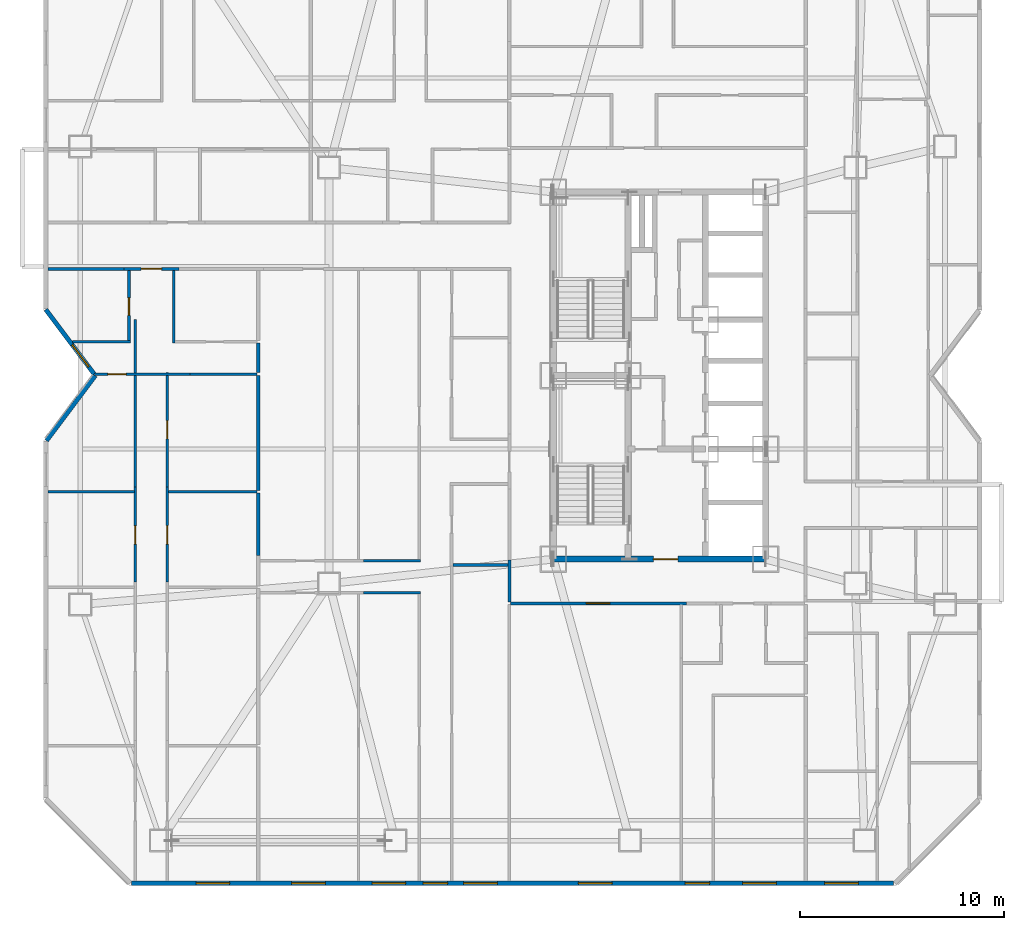
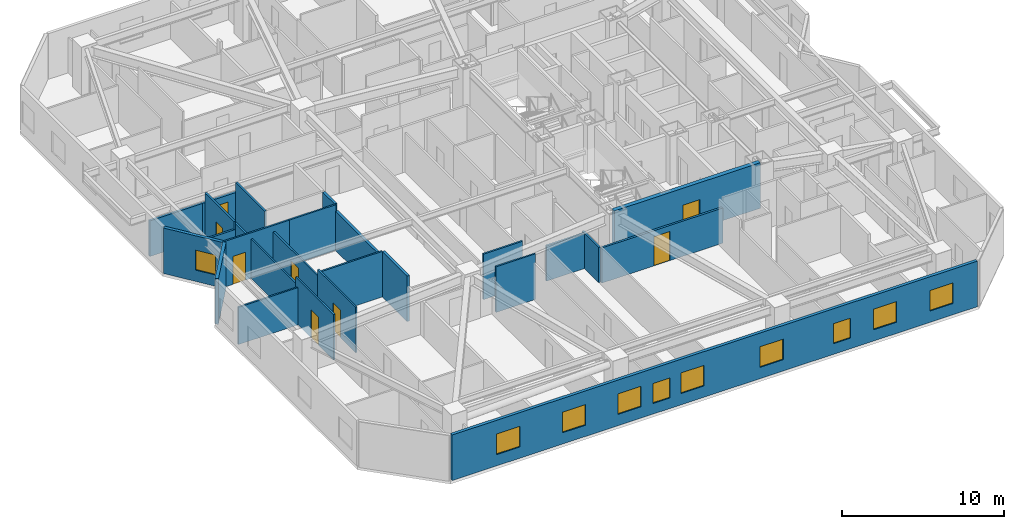
# One storey, part 8 of 17: 25 walls, 10 windows, 8 doors, 18 openings.
"""IFC4 building model written with IfcOpenShell, lengths in metres."""

from ifc_helpers import new_model, si_unit, direction, frame, frame_2d, origin, place, context, subcontext, project, spatial, rectangle, extrude, material, layer, layer_set, type_object, element, fill, save


model = new_model("IFC4")

# Units and contexts
model_context = context("Model", 3, precision=1e-05, world=origin(), true_north=direction((0.0, 1.0)))
body_context = subcontext(model_context, "Body", "Model", "MODEL_VIEW")
ifc_project = project(units=[si_unit("LENGTHUNIT", "METRE"), si_unit("AREAUNIT", "SQUARE_METRE"), si_unit("VOLUMEUNIT", "CUBIC_METRE"), si_unit("PLANEANGLEUNIT", "RADIAN"), si_unit("MASSUNIT", "GRAM", prefix="KILO")], contexts=[model_context])

# Site, building, storey
site_placement = place(None, origin())
site = spatial("IfcSite", under=ifc_project, at=site_placement, CompositionType="ELEMENT")
building_placement = place(site_placement, origin())
building = spatial("IfcBuilding", under=site, at=building_placement, Name="Khamvora Tower", CompositionType="ELEMENT")
storey_placement = place(building_placement, frame((0.0, 0.0, 73.449951171875)))
storey = spatial("IfcBuildingStorey", under=building, at=storey_placement, Name="L18", CompositionType="ELEMENT", Elevation=73.449951171875)

# Wall, opening, door
ifc_material_1 = material(Name="Concrete C50/60", Category="concrete")
ifc_layer_1 = layer(ifc_material_1, 0.300048828125)
ifc_layer_set_1 = layer_set([ifc_layer_1], Name="Concrete C50/60")
wall_type_1 = type_object("IfcWallType", Name="WAL-CORE-300", PredefinedType="SHEAR", material=ifc_layer_set_1)
wall_1_placement = place(storey_placement, frame((29.0, 19.0, 0.0), z_axis=(0.0, 0.0, 1.0), x_axis=(1.0, 0.0, 0.0)))
wall_1 = element("IfcWall", 1, at=wall_1_placement, inside=storey, type_object=wall_type_1, Name="L18 central core south wall", PredefinedType="SHEAR", context=body_context, shape_type="SweptSolid", body=[
    extrude(rectangle(XDim=10.39990234375, YDim=0.300048828125, at=frame_2d((5.199951171875, 0.0))), origin(), (0.0, 0.0, 1.0), 3.429931640625),
])
opening_1_placement = place(wall_1_placement, frame((4.89990234375, 0.0, 0.0)))
opening_1 = element("IfcOpeningElement", 2, at=opening_1_placement, cuts=wall_1, Name="Opening D-CR1", PredefinedType="OPENING", context=body_context, shape_type="SweptSolid", body=[
    extrude(rectangle(XDim=1.199951171875, YDim=2.14990234375, at=frame_2d((0.60009765625, 1.074951171875))), frame((0.0, 0.159912109375, 0.0), z_axis=(0.0, -1.0, 0.0), x_axis=(1.0, 0.0, 0.0)), (0.0, 0.0, 1.0), 0.320068359375),
])
ifc_material_2 = material(Name="Powder-Coated Steel and Hardwood Leaf", Category="steel")
door_type_1 = type_object("IfcDoorType", Name="DOR-CORR-1200", OperationType="NOTDEFINED", PredefinedType="DOOR", material=ifc_material_2)
door_1_placement = place(opening_1_placement, origin())
door_1 = element("IfcDoor", 3, at=door_1_placement, inside=storey, type_object=door_type_1, Name="L18 south core lobby to corridor fire door", OperationType="SINGLE_SWING_RIGHT", OverallHeight=2.14990234375, OverallWidth=1.199951171875, PredefinedType="DOOR", context=body_context, shape_type="SweptSolid", body=[
    extrude(rectangle(XDim=1.199951171875, YDim=2.14990234375, at=frame_2d((0.60009765625, 1.074951171875))), frame((0.0, 0.02490234375, 0.0), z_axis=(0.0, -1.0, 0.0), x_axis=(1.0, 0.0, 0.0)), (0.0, 0.0, 1.0), 0.050048828125),
])
fill(opening_1, door_1)

ifc_material_3 = material(Name="Fire-Rated Drywall and Steel Stud", Category="steel")
ifc_layer_2 = layer(ifc_material_3, 0.14990234375)
ifc_layer_set_2 = layer_set([ifc_layer_2], Name="Fire-Rated Drywall and Steel Stud")
wall_type_2 = type_object("IfcWallType", Name="WAL-CORR-150", PredefinedType="STANDARD", material=ifc_layer_set_2)
wall_2_placement = place(storey_placement, frame((35.513916015625, 16.8349609375, 0.0), z_axis=(0.0, 0.0, 1.0), x_axis=(-1.0, 0.0, 0.0)))
wall_2 = element("IfcWall", 4, at=wall_2_placement, inside=storey, type_object=wall_type_2, Name="L18 interior partition wall 008", PredefinedType="STANDARD", context=body_context, shape_type="SweptSolid", body=[
    extrude(rectangle(XDim=8.614013671875, YDim=0.14990234375, at=frame_2d((4.30712890625, 0.0))), origin(), (0.0, 0.0, 1.0), 2.64697265625),
])
opening_2_placement = place(wall_2_placement, frame((3.7529296875, 0.0, 0.0)))
opening_2 = element("IfcOpeningElement", 5, at=opening_2_placement, cuts=wall_2, Name="Opening D-SC1", PredefinedType="OPENING", context=body_context, shape_type="SweptSolid", body=[
    extrude(rectangle(XDim=1.14990234375, YDim=2.199951171875, at=frame_2d((0.574951171875, 1.10009765625))), frame((0.0, 0.0849609375, 0.0), z_axis=(0.0, -1.0, 0.0), x_axis=(1.0, 0.0, 0.0)), (0.0, 0.0, 1.0), 0.169921875),
])
door_type_2 = type_object("IfcDoorType", Name="DOR-SCHL-1150", OperationType="NOTDEFINED", PredefinedType="DOOR", material=ifc_material_2)
door_2_placement = place(opening_2_placement, origin())
door_2 = element("IfcDoor", 6, at=door_2_placement, inside=storey, type_object=door_type_2, Name="L18 interior door COR-RCOW", OperationType="SINGLE_SWING_LEFT", OverallHeight=2.199951171875, OverallWidth=1.14990234375, PredefinedType="DOOR", context=body_context, shape_type="SweptSolid", body=[
    extrude(rectangle(XDim=1.14990234375, YDim=2.199951171875, at=frame_2d((0.574951171875, 1.10009765625))), frame((0.0, 0.02490234375, 0.0), z_axis=(0.0, -1.0, 0.0), x_axis=(1.0, 0.0, 0.0)), (0.0, 0.0, 1.0), 0.050048828125),
])
fill(opening_2, door_2)

wall_3_placement = place(storey_placement, frame((10.637939453125, 33.235107421875, 0.0), z_axis=(0.0, 0.0, 1.0), x_axis=(-1.0, 0.0, 0.0)))
wall_3 = element("IfcWall", 7, at=wall_3_placement, inside=storey, type_object=wall_type_2, Name="L18 interior partition wall 009", PredefinedType="STANDARD", context=body_context, shape_type="SweptSolid", body=[
    extrude(rectangle(XDim=2.697998046875, YDim=0.14990234375, at=frame_2d((1.34912109375, 0.0))), origin(), (0.0, 0.0, 1.0), 2.68701171875),
])
opening_3_placement = place(wall_3_placement, frame((0.84912109375, 0.0, 0.0)))
opening_3 = element("IfcOpeningElement", 8, at=opening_3_placement, cuts=wall_3, Name="Opening D-U1", PredefinedType="OPENING", context=body_context, shape_type="SweptSolid", body=[
    extrude(rectangle(XDim=1.0, YDim=2.14990234375, at=frame_2d((0.5, 1.074951171875))), frame((0.0, 0.0849609375, 0.0), z_axis=(0.0, -1.0, 0.0), x_axis=(1.0, 0.0, 0.0)), (0.0, 0.0, 1.0), 0.169921875),
])
door_type_3 = type_object("IfcDoorType", Name="DOR-UNIT-1000", OperationType="NOTDEFINED", PredefinedType="DOOR", material=ifc_material_2)
door_3_placement = place(opening_3_placement, origin())
door_3 = element("IfcDoor", 9, at=door_3_placement, inside=storey, type_object=door_type_3, Name="L18 interior door COR-18WA1H", OperationType="SINGLE_SWING_RIGHT", OverallHeight=2.14990234375, OverallWidth=1.0, PredefinedType="DOOR", context=body_context, shape_type="SweptSolid", body=[
    extrude(rectangle(XDim=1.0, YDim=2.14990234375, at=frame_2d((0.5, 1.074951171875))), frame((0.0, 0.02490234375, 0.0), z_axis=(0.0, -1.0, 0.0), x_axis=(1.0, 0.0, 0.0)), (0.0, 0.0, 1.0), 0.050048828125),
])
fill(opening_3, door_3)

# Walls
wall_4_placement = place(storey_placement, frame((7.93994140625, 33.235107421875, 0.0), z_axis=(0.0, 0.0, 1.0), x_axis=(-1.0, 0.0, 0.0)))
element("IfcWall", 10, at=wall_4_placement, inside=storey, type_object=wall_type_2, Name="L18 interior partition wall 010", PredefinedType="STANDARD", context=body_context, shape_type="SweptSolid", body=[
    extrude(rectangle(XDim=3.72802734375, YDim=0.14990234375, at=frame_2d((1.864013671875, 0.0))), origin(), (0.0, 0.0, 1.0), 2.68701171875),
])
wall_5_placement = place(storey_placement, frame((26.8349609375, 16.89990234375, 0.0), z_axis=(0.0, 0.0, 1.0), x_axis=(0.0, 1.0, 0.0)))
element("IfcWall", 11, at=wall_5_placement, inside=storey, type_object=wall_type_2, Name="L18 interior partition wall 012", PredefinedType="STANDARD", context=body_context, shape_type="SweptSolid", body=[
    extrude(rectangle(XDim=2.068115234375, YDim=0.14990234375, at=frame_2d((1.0341796875, 0.0))), origin(), (0.0, 0.0, 1.0), 2.64697265625),
])
ifc_material_4 = material(Name="Acoustic Double-Stud Fire Wall", Category="gypsum")
ifc_layer_3 = layer(ifc_material_4, 0.179931640625)
ifc_layer_set_3 = layer_set([ifc_layer_3], Name="Acoustic Double-Stud Fire Wall")
wall_type_3 = type_object("IfcWallType", Name="WAL-CORR-180", PredefinedType="STANDARD", material=ifc_layer_set_3)
wall_6_placement = place(storey_placement, frame((14.533935546875, 29.590087890625, 0.0), z_axis=(0.0, 0.0, 1.0), x_axis=(0.0, -1.0, 0.0)))
element("IfcWall", 12, at=wall_6_placement, inside=storey, type_object=wall_type_3, Name="L18 interior partition wall 064", PredefinedType="STANDARD", context=body_context, shape_type="SweptSolid", body=[
    extrude(rectangle(XDim=1.4501953125, YDim=0.179931640625, at=frame_2d((0.72509765625, 0.0))), origin(), (0.0, 0.0, 1.0), 3.429931640625),
])
wall_7_placement = place(storey_placement, frame((14.533935546875, 22.235107421875, 0.0), z_axis=(0.0, 0.0, 1.0), x_axis=(0.0, -1.0, 0.0)))
element("IfcWall", 13, at=wall_7_placement, inside=storey, type_object=wall_type_3, Name="L18 interior partition wall 076", PredefinedType="STANDARD", context=body_context, shape_type="SweptSolid", body=[
    extrude(rectangle(XDim=3.06103515625, YDim=0.179931640625, at=frame_2d((1.530517578125, 0.0))), origin(), (0.0, 0.0, 1.0), 3.429931640625),
])
wall_8_placement = place(storey_placement, frame((14.533935546875, 28.010009765625, 0.0), z_axis=(0.0, 0.0, 1.0), x_axis=(0.0, -1.0, 0.0)))
element("IfcWall", 14, at=wall_8_placement, inside=storey, type_object=wall_type_3, Name="L18 interior partition wall 077", PredefinedType="STANDARD", context=body_context, shape_type="SweptSolid", body=[
    extrude(rectangle(XDim=5.64501953125, YDim=0.179931640625, at=frame_2d((2.822509765625, 0.0))), origin(), (0.0, 0.0, 1.0), 2.95703125),
])
ifc_material_5 = material(Name="Precast concrete C40/50", Category="concrete")
ifc_layer_4 = layer(ifc_material_5, 0.219970703125)
ifc_layer_set_4 = layer_set([ifc_layer_4], Name="Precast concrete C40/50")
wall_type_4 = type_object("IfcWallType", Name="WAL-EXT-220", PredefinedType="STANDARD", material=ifc_layer_set_4)
wall_9_placement = place(storey_placement, frame((4.14501953125, 24.80908203125, 0.0), z_axis=(0.0, 0.0, 1.0), x_axis=(0.599823674734, 0.800132213592, 0.0)))
element("IfcWall", 15, at=wall_9_placement, inside=storey, type_object=wall_type_4, Name="L18 exterior facade wall 03.1", PredefinedType="STANDARD", context=body_context, shape_type="SweptSolid", body=[
    extrude(rectangle(XDim=3.988037109375, YDim=0.219970703125, at=frame_2d((1.994140625, 0.0))), origin(), (0.0, 0.0, 1.0), 3.429931640625),
])

# Wall, opening, window
wall_10_placement = place(storey_placement, frame((6.47998046875, 28.076904296875, 0.0), z_axis=(0.0, 0.0, 1.0), x_axis=(-0.599960442794, 0.800029666377, 0.0)))
wall_10 = element("IfcWall", 16, at=wall_10_placement, inside=storey, type_object=wall_type_4, Name="L18 exterior facade wall 04.1", PredefinedType="STANDARD", context=body_context, shape_type="SweptSolid", body=[
    extrude(rectangle(XDim=3.949951171875, YDim=0.219970703125, at=frame_2d((1.97509765625, 0.0))), origin(), (0.0, 0.0, 1.0), 3.429931640625),
])
opening_4_placement = place(wall_10_placement, frame((0.445068359375, 0.0, 0.85009765625)))
opening_4 = element("IfcOpeningElement", 17, at=opening_4_placement, cuts=wall_10, Name="Opening WN-07", PredefinedType="OPENING", context=body_context, shape_type="SweptSolid", body=[
    extrude(rectangle(XDim=1.35009765625, YDim=1.5, at=frame_2d((0.675048828125, 0.75))), frame((0.0, 0.119873046875, 0.0), z_axis=(0.0, -1.0, 0.0), x_axis=(1.0, 0.0, 0.0)), (0.0, 0.0, 1.0), 0.239990234375),
])
ifc_material_6 = material(Name="Low-E Laminated Double Glazing", Category="glass")
window_type_1 = type_object("IfcWindowType", Name="WIN-VIS-1350x1500", PartitioningType="SINGLE_PANEL", PredefinedType="WINDOW", material=ifc_material_6)
window_1_placement = place(opening_4_placement, origin())
window_1 = element("IfcWindow", 18, at=window_1_placement, inside=storey, type_object=window_type_1, Name="L18 vision window 04.1.01", OverallHeight=1.5, OverallWidth=1.35009765625, PartitioningType="SINGLE_PANEL", PredefinedType="WINDOW", context=body_context, shape_type="SweptSolid", body=[
    extrude(rectangle(XDim=1.35009765625, YDim=1.5, at=frame_2d((0.675048828125, 0.75))), frame((0.0, 0.030029296875, 0.0), z_axis=(0.0, -1.0, 0.0), x_axis=(1.0, 0.0, 0.0)), (0.0, 0.0, 1.0), 0.06005859375),
])
fill(opening_4, window_1)

# Wall, openings, windows
wall_11_placement = place(storey_placement, frame((45.68310546875, 3.110107421875, 0.0), z_axis=(0.0, 0.0, 1.0), x_axis=(-1.0, 0.0, 0.0)))
wall_11 = element("IfcWall", 19, at=wall_11_placement, inside=storey, type_object=wall_type_4, Name="L18 exterior facade wall 14.1", PredefinedType="STANDARD", context=body_context, shape_type="SweptSolid", body=[
    extrude(rectangle(XDim=37.3681640625, YDim=0.219970703125, at=frame_2d((18.68408203125, 0.0))), origin(), (0.0, 0.0, 1.0), 3.429931640625),
])
opening_5_placement = place(wall_11_placement, frame((13.80810546875, 0.0, 0.85009765625)))
opening_5 = element("IfcOpeningElement", 20, at=opening_5_placement, cuts=wall_11, Name="Opening WN-06", PredefinedType="OPENING", context=body_context, shape_type="SweptSolid", body=[
    extrude(rectangle(XDim=1.64990234375, YDim=1.550048828125, at=frame_2d((0.824951171875, 0.77490234375))), frame((0.0, 0.119873046875, 0.0), z_axis=(0.0, -1.0, 0.0), x_axis=(1.0, 0.0, 0.0)), (0.0, 0.0, 1.0), 0.239990234375),
])
opening_6_placement = place(wall_11_placement, frame((32.553955078125, 0.0, 0.85009765625)))
opening_6 = element("IfcOpeningElement", 21, at=opening_6_placement, cuts=wall_11, Name="Opening WN-06", PredefinedType="OPENING", context=body_context, shape_type="SweptSolid", body=[
    extrude(rectangle(XDim=1.64990234375, YDim=1.550048828125, at=frame_2d((0.824951171875, 0.77490234375))), frame((0.0, 0.119873046875, 0.0), z_axis=(0.0, -1.0, 0.0), x_axis=(1.0, 0.0, 0.0)), (0.0, 0.0, 1.0), 0.239990234375),
])
opening_7_placement = place(wall_11_placement, frame((19.43798828125, 0.0, 0.85009765625)))
opening_7 = element("IfcOpeningElement", 22, at=opening_7_placement, cuts=wall_11, Name="Opening WN-06", PredefinedType="OPENING", context=body_context, shape_type="SweptSolid", body=[
    extrude(rectangle(XDim=1.64990234375, YDim=1.550048828125, at=frame_2d((0.824951171875, 0.77490234375))), frame((0.0, 0.119873046875, 0.0), z_axis=(0.0, -1.0, 0.0), x_axis=(1.0, 0.0, 0.0)), (0.0, 0.0, 1.0), 0.239990234375),
])
opening_8_placement = place(wall_11_placement, frame((21.868896484375, 0.0, 0.800048828125)))
opening_8 = element("IfcOpeningElement", 23, at=opening_8_placement, cuts=wall_11, Name="Opening WN-03", PredefinedType="OPENING", context=body_context, shape_type="SweptSolid", body=[
    extrude(rectangle(XDim=1.199951171875, YDim=1.5, at=frame_2d((0.60009765625, 0.75))), frame((0.0, 0.119873046875, 0.0), z_axis=(0.0, -1.0, 0.0), x_axis=(1.0, 0.0, 0.0)), (0.0, 0.0, 1.0), 0.239990234375),
])
opening_9_placement = place(wall_11_placement, frame((27.8701171875, 0.0, 0.85009765625)))
opening_9 = element("IfcOpeningElement", 24, at=opening_9_placement, cuts=wall_11, Name="Opening WN-06", PredefinedType="OPENING", context=body_context, shape_type="SweptSolid", body=[
    extrude(rectangle(XDim=1.64990234375, YDim=1.550048828125, at=frame_2d((0.824951171875, 0.77490234375))), frame((0.0, 0.119873046875, 0.0), z_axis=(0.0, -1.0, 0.0), x_axis=(1.0, 0.0, 0.0)), (0.0, 0.0, 1.0), 0.239990234375),
])
opening_10_placement = place(wall_11_placement, frame((23.925048828125, 0.0, 0.85009765625)))
opening_10 = element("IfcOpeningElement", 25, at=opening_10_placement, cuts=wall_11, Name="Opening WN-06", PredefinedType="OPENING", context=body_context, shape_type="SweptSolid", body=[
    extrude(rectangle(XDim=1.64990234375, YDim=1.550048828125, at=frame_2d((0.824951171875, 0.77490234375))), frame((0.0, 0.119873046875, 0.0), z_axis=(0.0, -1.0, 0.0), x_axis=(1.0, 0.0, 0.0)), (0.0, 0.0, 1.0), 0.239990234375),
])
opening_11_placement = place(wall_11_placement, frame((9.028076171875, 0.0, 0.800048828125)))
opening_11 = element("IfcOpeningElement", 26, at=opening_11_placement, cuts=wall_11, Name="Opening WN-03", PredefinedType="OPENING", context=body_context, shape_type="SweptSolid", body=[
    extrude(rectangle(XDim=1.199951171875, YDim=1.5, at=frame_2d((0.60009765625, 0.75))), frame((0.0, 0.119873046875, 0.0), z_axis=(0.0, -1.0, 0.0), x_axis=(1.0, 0.0, 0.0)), (0.0, 0.0, 1.0), 0.239990234375),
])
opening_12_placement = place(wall_11_placement, frame((5.7529296875, 0.0, 0.85009765625)))
opening_12 = element("IfcOpeningElement", 27, at=opening_12_placement, cuts=wall_11, Name="Opening WN-06", PredefinedType="OPENING", context=body_context, shape_type="SweptSolid", body=[
    extrude(rectangle(XDim=1.64990234375, YDim=1.550048828125, at=frame_2d((0.824951171875, 0.77490234375))), frame((0.0, 0.119873046875, 0.0), z_axis=(0.0, -1.0, 0.0), x_axis=(1.0, 0.0, 0.0)), (0.0, 0.0, 1.0), 0.239990234375),
])
opening_13_placement = place(wall_11_placement, frame((1.738037109375, 0.0, 0.85009765625)))
opening_13 = element("IfcOpeningElement", 28, at=opening_13_placement, cuts=wall_11, Name="Opening WN-06", PredefinedType="OPENING", context=body_context, shape_type="SweptSolid", body=[
    extrude(rectangle(XDim=1.64990234375, YDim=1.550048828125, at=frame_2d((0.824951171875, 0.77490234375))), frame((0.0, 0.119873046875, 0.0), z_axis=(0.0, -1.0, 0.0), x_axis=(1.0, 0.0, 0.0)), (0.0, 0.0, 1.0), 0.239990234375),
])
window_type_2 = type_object("IfcWindowType", Name="WIN-VIS-1200x1500", PartitioningType="SINGLE_PANEL", PredefinedType="WINDOW", material=ifc_material_6)
window_2_placement = place(opening_8_placement, origin())
window_2 = element("IfcWindow", 29, at=window_2_placement, inside=storey, type_object=window_type_2, Name="L18 vision window 14.1.04", OverallHeight=1.5, OverallWidth=1.199951171875, PartitioningType="SINGLE_PANEL", PredefinedType="WINDOW", context=body_context, shape_type="SweptSolid", body=[
    extrude(rectangle(XDim=1.199951171875, YDim=1.5, at=frame_2d((0.60009765625, 0.75))), frame((0.0, 0.030029296875, 0.0), z_axis=(0.0, -1.0, 0.0), x_axis=(1.0, 0.0, 0.0)), (0.0, 0.0, 1.0), 0.06005859375),
])
fill(opening_8, window_2)
window_3_placement = place(opening_11_placement, origin())
window_3 = element("IfcWindow", 30, at=window_3_placement, inside=storey, type_object=window_type_2, Name="L18 vision window 14.1.07", OverallHeight=1.5, OverallWidth=1.199951171875, PartitioningType="SINGLE_PANEL", PredefinedType="WINDOW", context=body_context, shape_type="SweptSolid", body=[
    extrude(rectangle(XDim=1.199951171875, YDim=1.5, at=frame_2d((0.60009765625, 0.75))), frame((0.0, 0.030029296875, 0.0), z_axis=(0.0, -1.0, 0.0), x_axis=(1.0, 0.0, 0.0)), (0.0, 0.0, 1.0), 0.06005859375),
])
fill(opening_11, window_3)
window_type_3 = type_object("IfcWindowType", Name="WIN-VIS-1650x1550", PartitioningType="SINGLE_PANEL", PredefinedType="WINDOW", material=ifc_material_6)
window_4_placement = place(opening_5_placement, origin())
window_4 = element("IfcWindow", 31, at=window_4_placement, inside=storey, type_object=window_type_3, Name="L18 vision window 14.1.01", OverallHeight=1.550048828125, OverallWidth=1.64990234375, PartitioningType="SINGLE_PANEL", PredefinedType="WINDOW", context=body_context, shape_type="SweptSolid", body=[
    extrude(rectangle(XDim=1.64990234375, YDim=1.550048828125, at=frame_2d((0.824951171875, 0.77490234375))), frame((0.0, 0.030029296875, 0.0), z_axis=(0.0, -1.0, 0.0), x_axis=(1.0, 0.0, 0.0)), (0.0, 0.0, 1.0), 0.06005859375),
])
fill(opening_5, window_4)
window_5_placement = place(opening_6_placement, origin())
window_5 = element("IfcWindow", 32, at=window_5_placement, inside=storey, type_object=window_type_3, Name="L18 vision window 14.1.02", OverallHeight=1.550048828125, OverallWidth=1.64990234375, PartitioningType="SINGLE_PANEL", PredefinedType="WINDOW", context=body_context, shape_type="SweptSolid", body=[
    extrude(rectangle(XDim=1.64990234375, YDim=1.550048828125, at=frame_2d((0.824951171875, 0.77490234375))), frame((0.0, 0.030029296875, 0.0), z_axis=(0.0, -1.0, 0.0), x_axis=(1.0, 0.0, 0.0)), (0.0, 0.0, 1.0), 0.06005859375),
])
fill(opening_6, window_5)
window_6_placement = place(opening_7_placement, origin())
window_6 = element("IfcWindow", 33, at=window_6_placement, inside=storey, type_object=window_type_3, Name="L18 vision window 14.1.03", OverallHeight=1.550048828125, OverallWidth=1.64990234375, PartitioningType="SINGLE_PANEL", PredefinedType="WINDOW", context=body_context, shape_type="SweptSolid", body=[
    extrude(rectangle(XDim=1.64990234375, YDim=1.550048828125, at=frame_2d((0.824951171875, 0.77490234375))), frame((0.0, 0.030029296875, 0.0), z_axis=(0.0, -1.0, 0.0), x_axis=(1.0, 0.0, 0.0)), (0.0, 0.0, 1.0), 0.06005859375),
])
fill(opening_7, window_6)
window_7_placement = place(opening_9_placement, origin())
window_7 = element("IfcWindow", 34, at=window_7_placement, inside=storey, type_object=window_type_3, Name="L18 vision window 14.1.05", OverallHeight=1.550048828125, OverallWidth=1.64990234375, PartitioningType="SINGLE_PANEL", PredefinedType="WINDOW", context=body_context, shape_type="SweptSolid", body=[
    extrude(rectangle(XDim=1.64990234375, YDim=1.550048828125, at=frame_2d((0.824951171875, 0.77490234375))), frame((0.0, 0.030029296875, 0.0), z_axis=(0.0, -1.0, 0.0), x_axis=(1.0, 0.0, 0.0)), (0.0, 0.0, 1.0), 0.06005859375),
])
fill(opening_9, window_7)
window_8_placement = place(opening_10_placement, origin())
window_8 = element("IfcWindow", 35, at=window_8_placement, inside=storey, type_object=window_type_3, Name="L18 vision window 14.1.06", OverallHeight=1.550048828125, OverallWidth=1.64990234375, PartitioningType="SINGLE_PANEL", PredefinedType="WINDOW", context=body_context, shape_type="SweptSolid", body=[
    extrude(rectangle(XDim=1.64990234375, YDim=1.550048828125, at=frame_2d((0.824951171875, 0.77490234375))), frame((0.0, 0.030029296875, 0.0), z_axis=(0.0, -1.0, 0.0), x_axis=(1.0, 0.0, 0.0)), (0.0, 0.0, 1.0), 0.06005859375),
])
fill(opening_10, window_8)
window_9_placement = place(opening_12_placement, origin())
window_9 = element("IfcWindow", 36, at=window_9_placement, inside=storey, type_object=window_type_3, Name="L18 vision window 14.1.08", OverallHeight=1.550048828125, OverallWidth=1.64990234375, PartitioningType="SINGLE_PANEL", PredefinedType="WINDOW", context=body_context, shape_type="SweptSolid", body=[
    extrude(rectangle(XDim=1.64990234375, YDim=1.550048828125, at=frame_2d((0.824951171875, 0.77490234375))), frame((0.0, 0.030029296875, 0.0), z_axis=(0.0, -1.0, 0.0), x_axis=(1.0, 0.0, 0.0)), (0.0, 0.0, 1.0), 0.06005859375),
])
fill(opening_12, window_9)
window_10_placement = place(opening_13_placement, origin())
window_10 = element("IfcWindow", 37, at=window_10_placement, inside=storey, type_object=window_type_3, Name="L18 vision window 14.1.09", OverallHeight=1.550048828125, OverallWidth=1.64990234375, PartitioningType="SINGLE_PANEL", PredefinedType="WINDOW", context=body_context, shape_type="SweptSolid", body=[
    extrude(rectangle(XDim=1.64990234375, YDim=1.550048828125, at=frame_2d((0.824951171875, 0.77490234375))), frame((0.0, 0.030029296875, 0.0), z_axis=(0.0, -1.0, 0.0), x_axis=(1.0, 0.0, 0.0)), (0.0, 0.0, 1.0), 0.06005859375),
])
fill(opening_13, window_10)

# Wall, opening, door
ifc_material_7 = material(Name="Gypsum Plasterboard Partition", Category="gypsum")
ifc_layer_5 = layer(ifc_material_7, 0.1201171875)
ifc_layer_set_5 = layer_set([ifc_layer_5], Name="Gypsum Plasterboard Partition")
wall_type_5 = type_object("IfcWallType", Name="WAL-PART-120", PredefinedType="PARTITIONING", material=ifc_layer_set_5)
wall_12_placement = place(storey_placement, frame((8.50390625, 17.868896484375, 0.0), z_axis=(0.0, 0.0, 1.0), x_axis=(0.0, 1.0, 0.0)))
wall_12 = element("IfcWall", 38, at=wall_12_placement, inside=storey, type_object=wall_type_5, Name="L18 interior partition wall 056", PredefinedType="PARTITIONING", context=body_context, shape_type="SweptSolid", body=[
    extrude(rectangle(XDim=4.68017578125, YDim=0.1201171875, at=frame_2d((2.340087890625, 0.0))), origin(), (0.0, 0.0, 1.0), 3.429931640625),
])
opening_14_placement = place(wall_12_placement, frame((1.868896484375, 0.0, 0.0)))
opening_14 = element("IfcOpeningElement", 39, at=opening_14_placement, cuts=wall_12, Name="Opening D-RM1", PredefinedType="OPENING", context=body_context, shape_type="SweptSolid", body=[
    extrude(rectangle(XDim=0.89990234375, YDim=2.10009765625, at=frame_2d((0.449951171875, 1.050048828125))), frame((0.0, 0.070068359375, 0.0), z_axis=(0.0, -1.0, 0.0), x_axis=(1.0, 0.0, 0.0)), (0.0, 0.0, 1.0), 0.14013671875),
])
door_type_4 = type_object("IfcDoorType", Name="DOR-ROOM-900", OperationType="NOTDEFINED", PredefinedType="DOOR", material=ifc_material_2)
door_4_placement = place(opening_14_placement, origin())
door_4 = element("IfcDoor", 40, at=door_4_placement, inside=storey, type_object=door_type_4, Name="L18 interior door 18WA1H-18WA1R3", OperationType="SINGLE_SWING_LEFT", OverallHeight=2.10009765625, OverallWidth=0.89990234375, PredefinedType="DOOR", context=body_context, shape_type="SweptSolid", body=[
    extrude(rectangle(XDim=0.89990234375, YDim=2.10009765625, at=frame_2d((0.449951171875, 1.050048828125))), frame((0.0, 0.02490234375, 0.0), z_axis=(0.0, -1.0, 0.0), x_axis=(1.0, 0.0, 0.0)), (0.0, 0.0, 1.0), 0.050048828125),
])
fill(opening_14, door_4)

# Wall
wall_13_placement = place(storey_placement, frame((8.50390625, 22.549072265625, 0.0), z_axis=(0.0, 0.0, 1.0), x_axis=(0.0, 1.0, 0.0)))
element("IfcWall", 41, at=wall_13_placement, inside=storey, type_object=wall_type_5, Name="L18 interior partition wall 057", PredefinedType="PARTITIONING", context=body_context, shape_type="SweptSolid", body=[
    extrude(rectangle(XDim=8.19091796875, YDim=0.1201171875, at=frame_2d((4.095458984375, 0.0))), origin(), (0.0, 0.0, 1.0), 2.95703125),
])

# Wall, opening, door
wall_14_placement = place(storey_placement, frame((11.1689453125, 28.074951171875, 0.0), z_axis=(0.0, 0.0, 1.0), x_axis=(-1.0, 0.0, 0.0)))
wall_14 = element("IfcWall", 42, at=wall_14_placement, inside=storey, type_object=wall_type_5, Name="L18 interior partition wall 058", PredefinedType="PARTITIONING", context=body_context, shape_type="SweptSolid", body=[
    extrude(rectangle(XDim=4.6728515625, YDim=0.1201171875, at=frame_2d((2.33642578125, 0.0))), origin(), (0.0, 0.0, 1.0), 3.429931640625),
])
opening_15_placement = place(wall_14_placement, frame((3.114990234375, 0.0, 0.0)))
opening_15 = element("IfcOpeningElement", 43, at=opening_15_placement, cuts=wall_14, Name="Opening D-RM1", PredefinedType="OPENING", context=body_context, shape_type="SweptSolid", body=[
    extrude(rectangle(XDim=0.89990234375, YDim=2.10009765625, at=frame_2d((0.449951171875, 1.050048828125))), frame((0.0, 0.070068359375, 0.0), z_axis=(0.0, -1.0, 0.0), x_axis=(1.0, 0.0, 0.0)), (0.0, 0.0, 1.0), 0.14013671875),
])
door_5_placement = place(opening_15_placement, origin())
door_5 = element("IfcDoor", 44, at=door_5_placement, inside=storey, type_object=door_type_4, Name="L18 interior door 18WA1H-18WA1R4", OperationType="SINGLE_SWING_RIGHT", OverallHeight=2.10009765625, OverallWidth=0.89990234375, PredefinedType="DOOR", context=body_context, shape_type="SweptSolid", body=[
    extrude(rectangle(XDim=0.89990234375, YDim=2.10009765625, at=frame_2d((0.449951171875, 1.050048828125))), frame((0.0, 0.02490234375, 0.0), z_axis=(0.0, -1.0, 0.0), x_axis=(1.0, 0.0, 0.0)), (0.0, 0.0, 1.0), 0.050048828125),
])
fill(opening_15, door_5)

wall_15_placement = place(storey_placement, frame((10.073974609375, 22.549072265625, 0.0), z_axis=(0.0, 0.0, 1.0), x_axis=(0.0, -1.0, 0.0)))
wall_15 = element("IfcWall", 45, at=wall_15_placement, inside=storey, type_object=wall_type_5, Name="L18 interior partition wall 061", PredefinedType="PARTITIONING", context=body_context, shape_type="SweptSolid", body=[
    extrude(rectangle(XDim=4.68017578125, YDim=0.1201171875, at=frame_2d((2.340087890625, 0.0))), origin(), (0.0, 0.0, 1.0), 3.429931640625),
])
opening_16_placement = place(wall_15_placement, frame((1.910888671875, 0.0, 0.0)))
opening_16 = element("IfcOpeningElement", 46, at=opening_16_placement, cuts=wall_15, Name="Opening D-RM1", PredefinedType="OPENING", context=body_context, shape_type="SweptSolid", body=[
    extrude(rectangle(XDim=0.89990234375, YDim=2.10009765625, at=frame_2d((0.449951171875, 1.050048828125))), frame((0.0, 0.070068359375, 0.0), z_axis=(0.0, -1.0, 0.0), x_axis=(1.0, 0.0, 0.0)), (0.0, 0.0, 1.0), 0.14013671875),
])
door_6_placement = place(opening_16_placement, origin())
door_6 = element("IfcDoor", 47, at=door_6_placement, inside=storey, type_object=door_type_4, Name="L18 interior door 18WA1H-18WA1R7", OperationType="SINGLE_SWING_LEFT", OverallHeight=2.10009765625, OverallWidth=0.89990234375, PredefinedType="DOOR", context=body_context, shape_type="SweptSolid", body=[
    extrude(rectangle(XDim=0.89990234375, YDim=2.10009765625, at=frame_2d((0.449951171875, 1.050048828125))), frame((0.0, 0.02490234375, 0.0), z_axis=(0.0, -1.0, 0.0), x_axis=(1.0, 0.0, 0.0)), (0.0, 0.0, 1.0), 0.050048828125),
])
fill(opening_16, door_6)

# Wall
wall_16_placement = place(storey_placement, frame((14.468994140625, 28.074951171875, 0.0), z_axis=(0.0, 0.0, 1.0), x_axis=(-1.0, 0.0, 0.0)))
element("IfcWall", 48, at=wall_16_placement, inside=storey, type_object=wall_type_5, Name="L18 interior partition wall 062", PredefinedType="PARTITIONING", context=body_context, shape_type="SweptSolid", body=[
    extrude(rectangle(XDim=3.300048828125, YDim=0.1201171875, at=frame_2d((1.64990234375, 0.0))), origin(), (0.0, 0.0, 1.0), 3.429931640625),
])

# Wall, opening, door
wall_17_placement = place(storey_placement, frame((10.073974609375, 28.139892578125, 0.0), z_axis=(0.0, 0.0, 1.0), x_axis=(0.0, -1.0, 0.0)))
wall_17 = element("IfcWall", 49, at=wall_17_placement, inside=storey, type_object=wall_type_5, Name="L18 interior partition wall 063", PredefinedType="PARTITIONING", context=body_context, shape_type="SweptSolid", body=[
    extrude(rectangle(XDim=5.5908203125, YDim=0.1201171875, at=frame_2d((2.79541015625, 0.0))), origin(), (0.0, 0.0, 1.0), 2.95703125),
])
opening_17_placement = place(wall_17_placement, frame((2.344970703125, 0.0, 0.0)))
opening_17 = element("IfcOpeningElement", 50, at=opening_17_placement, cuts=wall_17, Name="Opening D-RM1", PredefinedType="OPENING", context=body_context, shape_type="SweptSolid", body=[
    extrude(rectangle(XDim=0.89990234375, YDim=2.10009765625, at=frame_2d((0.449951171875, 1.050048828125))), frame((0.0, 0.070068359375, 0.0), z_axis=(0.0, -1.0, 0.0), x_axis=(1.0, 0.0, 0.0)), (0.0, 0.0, 1.0), 0.14013671875),
])
door_7_placement = place(opening_17_placement, origin())
door_7 = element("IfcDoor", 51, at=door_7_placement, inside=storey, type_object=door_type_4, Name="L18 interior door 18WA1H-18WA1R8", OperationType="SINGLE_SWING_RIGHT", OverallHeight=2.10009765625, OverallWidth=0.89990234375, PredefinedType="DOOR", context=body_context, shape_type="SweptSolid", body=[
    extrude(rectangle(XDim=0.89990234375, YDim=2.10009765625, at=frame_2d((0.449951171875, 1.050048828125))), frame((0.0, 0.02490234375, 0.0), z_axis=(0.0, -1.0, 0.0), x_axis=(1.0, 0.0, 0.0)), (0.0, 0.0, 1.0), 0.050048828125),
])
fill(opening_17, door_7)

# Walls
wall_18_placement = place(storey_placement, frame((4.2119140625, 22.300048828125, 0.0), z_axis=(0.0, 0.0, 1.0), x_axis=(1.0, 0.0, 0.0)))
element("IfcWall", 52, at=wall_18_placement, inside=storey, type_object=wall_type_5, Name="L18 interior partition wall 068", PredefinedType="PARTITIONING", context=body_context, shape_type="SweptSolid", body=[
    extrude(rectangle(XDim=4.238037109375, YDim=0.1201171875, at=frame_2d((2.119140625, 0.0))), origin(), (0.0, 0.0, 1.0), 2.802978515625),
])
wall_19_placement = place(storey_placement, frame((10.1279296875, 22.300048828125, 0.0), z_axis=(0.0, 0.0, 1.0), x_axis=(1.0, 0.0, 0.0)))
element("IfcWall", 53, at=wall_19_placement, inside=storey, type_object=wall_type_5, Name="L18 interior partition wall 074", PredefinedType="PARTITIONING", context=body_context, shape_type="SweptSolid", body=[
    extrude(rectangle(XDim=4.341064453125, YDim=0.1201171875, at=frame_2d((2.17041015625, 0.0))), origin(), (0.0, 0.0, 1.0), 3.429931640625),
])
for number, where, z_axis, x_axis, name in (
    (54, (22.489013671875, 17.35498046875, 0.0), (0.0, 0.0, 1.0), (-1.0, 0.0, 0.0), "L18 interior partition wall 088"),
    (55, (19.69091796875, 18.925048828125, 0.0), (0.0, 0.0, 1.0), (1.0, 0.0, 0.0), "L18 interior partition wall 090"),
):
    element("IfcWall", number, at=place(storey_placement, frame(where, z_axis=z_axis, x_axis=x_axis)), inside=storey, type_object=wall_type_5, Name=name, PredefinedType="PARTITIONING", context=body_context, shape_type="SweptSolid", body=[
        extrude(rectangle(XDim=2.798095703125, YDim=0.1201171875, at=frame_2d((1.39892578125, 0.0))), origin(), (0.0, 0.0, 1.0), 3.429931640625),
    ])
ifc_material_8 = material(Name="Moisture-Resistant Plasterboard Partition", Category="gypsum")
ifc_layer_6 = layer(ifc_material_8, 0.135009765625)
ifc_layer_set_6 = layer_set([ifc_layer_6], Name="Moisture-Resistant Plasterboard Partition")
wall_type_6 = type_object("IfcWallType", Name="WAL-WET-135", PredefinedType="PARTITIONING", material=ifc_layer_set_6)
wall_20_placement = place(storey_placement, frame((5.407958984375, 29.655029296875, 0.0), z_axis=(0.0, 0.0, 1.0), x_axis=(1.0, 0.0, 0.0)))
element("IfcWall", 56, at=wall_20_placement, inside=storey, type_object=wall_type_6, Name="L18 interior partition wall 050", PredefinedType="PARTITIONING", context=body_context, shape_type="SweptSolid", body=[
    extrude(rectangle(XDim=2.845947265625, YDim=0.135009765625, at=frame_2d((1.4228515625, 0.0))), origin(), (0.0, 0.0, 1.0), 2.802978515625),
])

# Wall, opening, door
wall_21_placement = place(storey_placement, frame((8.18896484375, 29.590087890625, 0.0), z_axis=(0.0, 0.0, 1.0), x_axis=(0.0, 1.0, 0.0)))
wall_21 = element("IfcWall", 57, at=wall_21_placement, inside=storey, type_object=wall_type_6, Name="L18 interior partition wall 051", PredefinedType="PARTITIONING", context=body_context, shape_type="SweptSolid", body=[
    extrude(rectangle(XDim=3.577880859375, YDim=0.135009765625, at=frame_2d((1.7890625, 0.0))), origin(), (0.0, 0.0, 1.0), 3.429931640625),
])
opening_18_placement = place(wall_21_placement, frame((1.364013671875, 0.0, 0.0)))
opening_18 = element("IfcOpeningElement", 58, at=opening_18_placement, cuts=wall_21, Name="Opening D-WC1", PredefinedType="OPENING", context=body_context, shape_type="SweptSolid", body=[
    extrude(rectangle(XDim=0.85009765625, YDim=2.10009765625, at=frame_2d((0.425048828125, 1.050048828125))), frame((0.0, 0.077392578125, 0.0), z_axis=(0.0, -1.0, 0.0), x_axis=(1.0, 0.0, 0.0)), (0.0, 0.0, 1.0), 0.155029296875),
])
door_type_5 = type_object("IfcDoorType", Name="DOR-WET-850", OperationType="NOTDEFINED", PredefinedType="DOOR", material=ifc_material_2)
door_8_placement = place(opening_18_placement, origin())
door_8 = element("IfcDoor", 59, at=door_8_placement, inside=storey, type_object=door_type_5, Name="L18 interior door 18WA1H-18WA1B", OperationType="SINGLE_SWING_LEFT", OverallHeight=2.10009765625, OverallWidth=0.85009765625, PredefinedType="DOOR", context=body_context, shape_type="SweptSolid", body=[
    extrude(rectangle(XDim=0.85009765625, YDim=2.10009765625, at=frame_2d((0.425048828125, 1.050048828125))), frame((0.0, 0.02490234375, 0.0), z_axis=(0.0, -1.0, 0.0), x_axis=(1.0, 0.0, 0.0)), (0.0, 0.0, 1.0), 0.050048828125),
])
fill(opening_18, door_8)

# Walls
wall_22_placement = place(storey_placement, frame((10.388916015625, 33.16796875, 0.0), z_axis=(0.0, 0.0, 1.0), x_axis=(0.0, -1.0, 0.0)))
element("IfcWall", 60, at=wall_22_placement, inside=storey, type_object=wall_type_6, Name="L18 interior partition wall 052", PredefinedType="PARTITIONING", context=body_context, shape_type="SweptSolid", body=[
    extrude(rectangle(XDim=3.577880859375, YDim=0.135009765625, at=frame_2d((1.7890625, 0.0))), origin(), (0.0, 0.0, 1.0), 3.429931640625),
])
wall_23_placement = place(storey_placement, frame((24.069091796875, 18.718994140625, 0.0), z_axis=(0.0, 0.0, 1.0), x_axis=(1.0, 0.0, 0.0)))
element("IfcWall", 61, at=wall_23_placement, inside=storey, type_object=wall_type_6, Name="L18 interior partition wall 079", PredefinedType="PARTITIONING", context=body_context, shape_type="SweptSolid", body=[
    extrude(rectangle(XDim=2.700927734375, YDim=0.135009765625, at=frame_2d((1.3505859375, 0.0))), origin(), (0.0, 0.0, 1.0), 2.64697265625),
])

save(model, "model.ifc")
